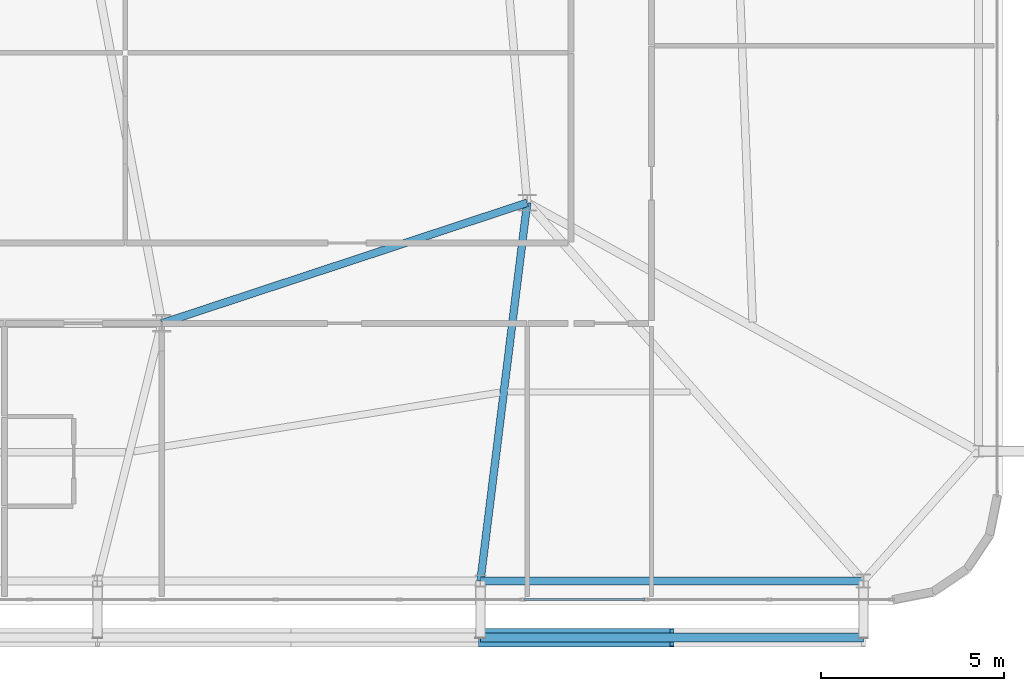
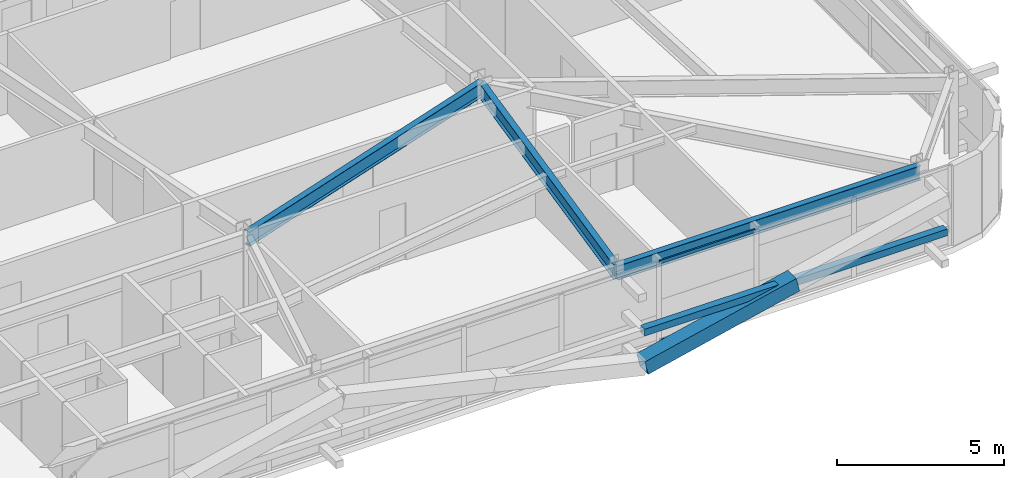
# One storey, part 22 of 59: 4 members, 3 beams, 1 element without a shape of its own.
"""IFC4 building model written with IfcOpenShell, lengths in metres."""

from ifc_helpers import new_model, si_unit, direction, frame, origin, origin_2d, place, context, subcontext, project, spatial, hollow_rectangle, i_section, extrude, source, transform, mapped, material, layer, layer_set, material_profile, profile_set, type_object, element, aggregate, save


model = new_model("IFC4")

# Units and contexts
model_context = context("Model", 3, precision=1e-05, world=origin(), true_north=direction((0.0, 1.0)))
body_context = subcontext(model_context, "Body", "Model", "MODEL_VIEW")
ifc_project = project(units=[si_unit("LENGTHUNIT", "METRE"), si_unit("AREAUNIT", "SQUARE_METRE"), si_unit("VOLUMEUNIT", "CUBIC_METRE"), si_unit("PLANEANGLEUNIT", "RADIAN"), si_unit("MASSUNIT", "GRAM", prefix="KILO")], contexts=[model_context])

# Site, building, storey
site_placement = place(None, origin())
site = spatial("IfcSite", under=ifc_project, at=site_placement, CompositionType="ELEMENT")
building_placement = place(site_placement, origin())
building = spatial("IfcBuilding", under=site, at=building_placement, Name="Taldren Reach Tower", CompositionType="ELEMENT")
storey_placement = place(building_placement, frame((0.0, 0.0, 48.300048828125)))
storey = spatial("IfcBuildingStorey", under=building, at=storey_placement, Name="L14", CompositionType="ELEMENT", Elevation=48.300048828125)

# Beams
ifc_material_1 = material(Name="Steel Gr 350 (350PLUS)", Category="steel")
ifc_material_profile_1 = material_profile(ifc_material_1, i_section(OverallWidth=0.208984375, OverallDepth=0.532958984375, WebThickness=0.01025390625, FlangeThickness=0.015625, at=origin_2d()), Name="530UB92.4")
ifc_profile_set_1 = profile_set([ifc_material_profile_1], Name="Steel Gr 350 (350PLUS)")
beam_type_1 = type_object("IfcBeamType", Name="BM-UB530A", PredefinedType="BEAM", material=ifc_profile_set_1)
shared_shape_1 = source(origin(), body_context, "Body", "SweptSolid", [
    extrude(i_section(OverallWidth=0.208984375, OverallDepth=0.532958984375, WebThickness=0.01025390625, FlangeThickness=0.015625, at=origin_2d()), origin(), (0.0, 0.0, 1.0), 10.530517578125),
])
beam_1_placement = place(storey_placement, frame((42.0, 9.199951171875, 2.663330078125), z_axis=(0.949627269203, 0.313381635689, 0.0), x_axis=(-0.313381635689, 0.949627269203, 0.0)))
element("IfcBeam", 1, at=beam_1_placement, inside=storey, type_object=beam_type_1, Name="Core-spine girder L14-SP12", PredefinedType="BEAM", context=body_context, shape_type="MappedRepresentation", body=[
    mapped(shared_shape_1, transform((0.0, 0.0, 0.0), scale=1.0)),
])
ifc_material_profile_2 = material_profile(ifc_material_1, i_section(OverallWidth=0.208984375, OverallDepth=0.528076171875, WebThickness=0.009521484375, FlangeThickness=0.01318359375, at=origin_2d()), Name="530UB82.0")
ifc_profile_set_2 = profile_set([ifc_material_profile_2], Name="Steel Gr 350 (350PLUS)")
beam_type_2 = type_object("IfcBeamType", Name="SP-UB530B", PredefinedType="SPANDREL", material=ifc_profile_set_2)
shared_shape_2 = source(origin(), body_context, "Body", "SweptSolid", [
    extrude(i_section(OverallWidth=0.208984375, OverallDepth=0.528076171875, WebThickness=0.009521484375, FlangeThickness=0.01318359375, at=origin_2d()), origin(), (0.0, 0.0, 1.0), 10.47998046875),
])
beam_2_placement = place(storey_placement, frame((50.719970703125, 2.14990234375, 2.666015625), z_axis=(1.0, 0.0, 0.0), x_axis=(0.0, 1.0, 0.0)))
element("IfcBeam", 2, at=beam_2_placement, inside=storey, type_object=beam_type_2, Name="Perimeter spandrel B1 S5-S6 L14", PredefinedType="SPANDREL", context=body_context, shape_type="MappedRepresentation", body=[
    mapped(shared_shape_2, transform((0.0, 0.0, 0.0), scale=1.0)),
])
shared_shape_3 = source(origin(), body_context, "Body", "SweptSolid", [
    extrude(i_section(OverallWidth=0.208984375, OverallDepth=0.532958984375, WebThickness=0.01025390625, FlangeThickness=0.015625, at=origin_2d()), origin(), (0.0, 0.0, 1.0), 10.428955078125),
])
beam_3_placement = place(storey_placement, frame((52.0, 12.5, 2.663330078125), z_axis=(-0.122738080664, -0.992439098159, 0.0), x_axis=(0.992439098159, -0.122738080664, 0.0)))
element("IfcBeam", 3, at=beam_3_placement, inside=storey, type_object=beam_type_1, Name="Primary floor girder B1-S5 L14", PredefinedType="BEAM", context=body_context, shape_type="MappedRepresentation", body=[
    mapped(shared_shape_3, transform((0.0, 0.0, 0.0), scale=1.0)),
])

# Members
ifc_material_2 = material(Name="Steel Gr 450 (C450L0)", Category="steel")
ifc_material_profile_3 = material_profile(ifc_material_2, hollow_rectangle(XDim=0.510009765625, YDim=0.510009765625, WallThickness=0.02001953125, at=origin_2d()), Name="510x510x20.0SHS")
ifc_profile_set_3 = profile_set([ifc_material_profile_3], Name="Steel Gr 450 (C450L0)")
member_type_1 = type_object("IfcMemberType", Name="MB-EXO508", PredefinedType="BRACE", material=ifc_profile_set_3)
shared_shape_4 = source(origin(), body_context, "Body", "SweptSolid", [
    extrude(hollow_rectangle(XDim=0.510009765625, YDim=0.510009765625, WallThickness=0.02001953125, at=origin_2d()), origin(), (0.0, 0.0, 1.0), 5.37890625),
])
member_1_placement = place(storey_placement, frame((50.719970703125, 0.60009765625, 0.219970703125), z_axis=(0.97415197996, 0.0, 0.225893603143), x_axis=(0.0, 1.0, 0.0)))
element("IfcMember", 4, at=member_1_placement, inside=storey, type_object=member_type_1, Name="Exoskeleton Diagrid Brace B1-S5 L14", PredefinedType="BRACE", context=body_context, shape_type="MappedRepresentation", body=[
    mapped(shared_shape_4, transform((0.0, 0.0, 0.0), scale=1.0)),
])
ifc_material_3 = material(Name="Steel Gr 350 (C350L0)", Category="steel")
ifc_material_profile_4 = material_profile(ifc_material_3, hollow_rectangle(XDim=0.25, YDim=0.25, WallThickness=0.010009765625, at=origin_2d()), Name="250x250x10.0SHS")
ifc_profile_set_4 = profile_set([ifc_material_profile_4], Name="Steel Gr 350 (C350L0)")
member_type_2 = type_object("IfcMemberType", Name="MB-POST250", PredefinedType="POST", material=ifc_profile_set_4)
shared_shape_5 = source(origin(), body_context, "Body", "SweptSolid", [
    extrude(hollow_rectangle(XDim=0.25, YDim=0.25, WallThickness=0.010009765625, at=origin_2d()), origin(), (0.0, 0.0, 1.0), 10.47998046875),
])
member_2_placement = place(storey_placement, frame((50.719970703125, 0.60009765625, 1.43505859375), z_axis=(1.0, 0.0, 0.0), x_axis=(0.0, 1.0, 0.0)))
element("IfcMember", 5, at=member_2_placement, inside=storey, type_object=member_type_2, Name="Exoskeleton mid-height ring chord B1-S5 L14", PredefinedType="POST", context=body_context, shape_type="MappedRepresentation", body=[
    mapped(shared_shape_5, transform((0.0, 0.0, 0.0), scale=1.0)),
])

# Curtain wall, members
ifc_material_4 = material(Name="Aluminium and Low-E Glass Unitised System", Category="aluminium")
ifc_layer = layer(ifc_material_4, 0.159912109375)
ifc_layer_set = layer_set([ifc_layer], Name="Aluminium and Low-E Glass Unitised System")
curtain_wall_type = type_object("IfcCurtainWallType", Name="CW-SYS-2", PredefinedType="NOTDEFINED", material=ifc_layer_set)
curtain_wall_placement = place(storey_placement, origin())
curtain_wall = element("IfcCurtainWall", 6, at=curtain_wall_placement, inside=storey, type_object=curtain_wall_type, Name="Unitised curtain wall CW-L14-S", PredefinedType="NOTDEFINED")
ifc_material_5 = material(Name="Anodised Aluminium 6063-T6", Category="aluminium")
ifc_material_profile_5 = material_profile(ifc_material_5, hollow_rectangle(XDim=0.054931640625, YDim=0.1201171875, WallThickness=0.0029296875, at=origin_2d()), Name="ALU-120x55x3RHS")
ifc_profile_set_5 = profile_set([ifc_material_profile_5], Name="Anodised Aluminium 6063-T6")
member_type_3 = type_object("IfcMemberType", Name="CW-TRN-135", PredefinedType="USERDEFINED", material=ifc_profile_set_5)
shared_shape_6 = source(origin(), body_context, "Body", "SweptSolid", [
    extrude(hollow_rectangle(XDim=0.054931640625, YDim=0.1201171875, WallThickness=0.0029296875, at=origin_2d()), origin(), (0.0, 0.0, 1.0), 3.31005859375),
])
member_3_placement = place(storey_placement, frame((51.907470703125, 1.639892578125, 0.02734375), z_axis=(1.0, 0.0, 0.0), x_axis=(0.0, 1.0, 0.0)))
member_3 = element("IfcMember", 7, at=member_3_placement, type_object=member_type_3, Name="CW-2 transom 14.1", ObjectType="TRANSOM", PredefinedType="USERDEFINED", context=body_context, shape_type="MappedRepresentation", body=[
    mapped(shared_shape_6, transform((0.0, 0.0, 0.0), scale=1.0)),
])
member_4_placement = place(storey_placement, frame((51.907470703125, 1.639892578125, 2.90234375), z_axis=(1.0, 0.0, 0.0), x_axis=(0.0, 1.0, 0.0)))
member_4 = element("IfcMember", 8, at=member_4_placement, type_object=member_type_3, Name="CW-2 transom 14.2", ObjectType="TRANSOM", PredefinedType="USERDEFINED", context=body_context, shape_type="MappedRepresentation", body=[
    mapped(shared_shape_6, transform((0.0, 0.0, 0.0), scale=1.0)),
])
aggregate(curtain_wall, [member_3, member_4])

save(model, "model.ifc")
